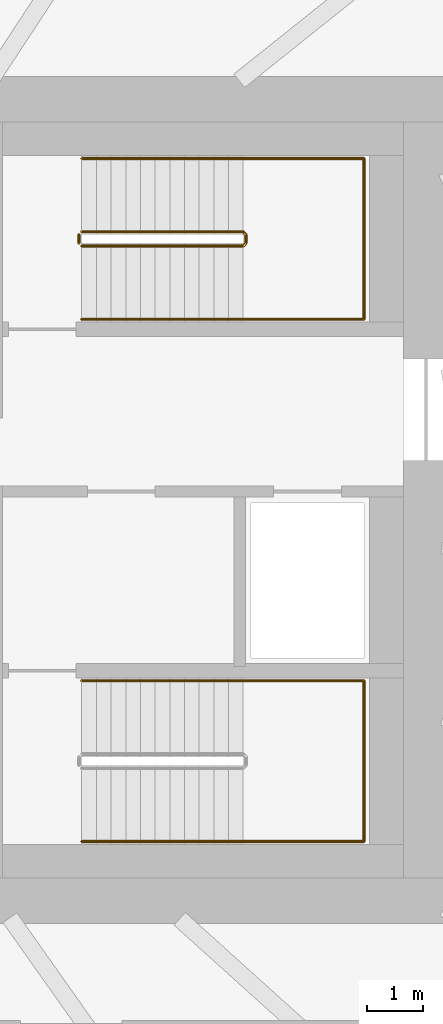
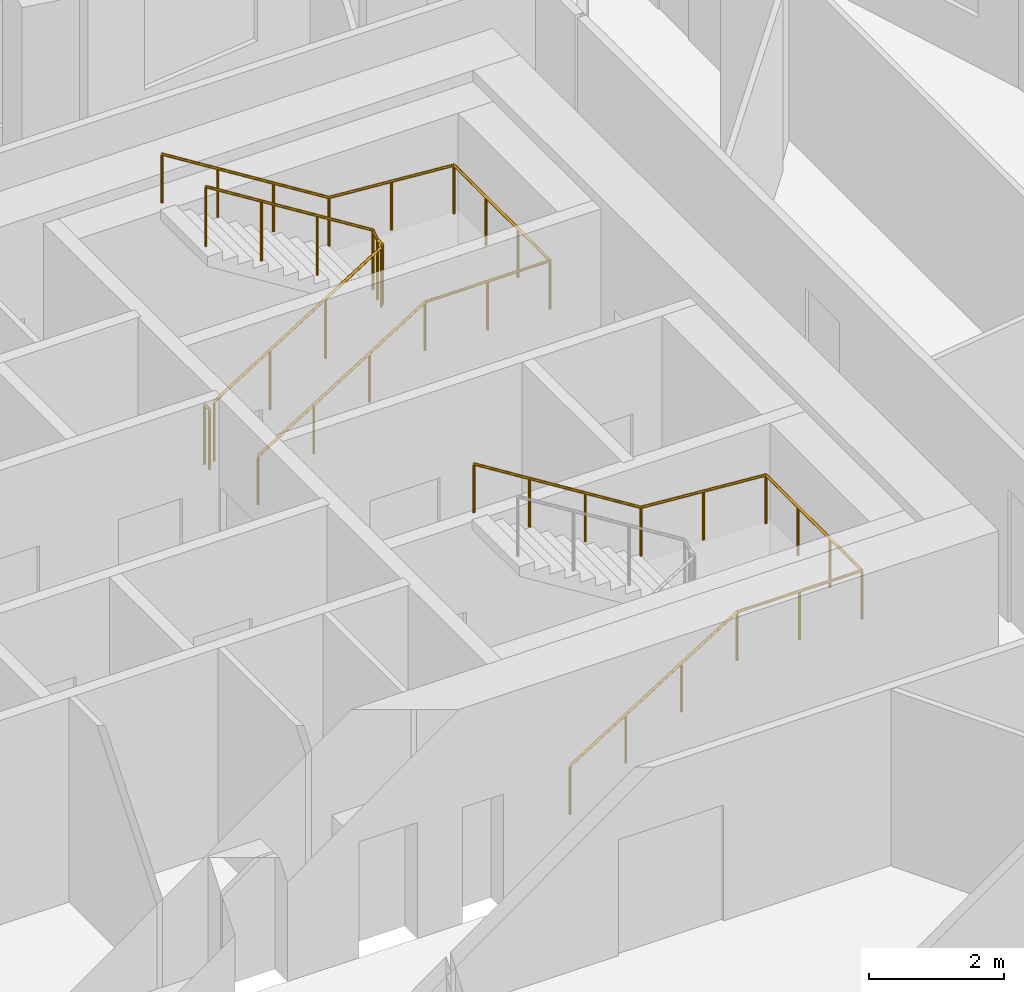
# One storey, part 12 of 12: 4 railings.
"""IFC4 building model written with IfcOpenShell, lengths in metres."""

from ifc_helpers import new_model, si_unit, direction, frame, origin, origin_2d, place, context, subcontext, project, spatial, circle, extrude, material, type_object, element, save


model = new_model("IFC4")

# Units and contexts
model_context = context("Model", 3, precision=1e-05, world=origin(), true_north=direction((0.0, 1.0)))
body_context = subcontext(model_context, "Body", "Model", "MODEL_VIEW")
ifc_project = project(units=[si_unit("LENGTHUNIT", "METRE"), si_unit("AREAUNIT", "SQUARE_METRE"), si_unit("VOLUMEUNIT", "CUBIC_METRE"), si_unit("PLANEANGLEUNIT", "RADIAN"), si_unit("MASSUNIT", "GRAM", prefix="KILO")], contexts=[model_context])

# Site, building, storey
site_placement = place(None, origin())
site = spatial("IfcSite", under=ifc_project, at=site_placement, CompositionType="ELEMENT")
building_placement = place(site_placement, origin())
building = spatial("IfcBuilding", under=site, at=building_placement, Name="Rubra Terraces Tower", CompositionType="ELEMENT")
storey_placement = place(building_placement, frame((0.0, 0.0, 276.60009765625)))
storey = spatial("IfcBuildingStorey", under=building, at=storey_placement, Name="L68", CompositionType="ELEMENT", Elevation=276.60009765625)

# Railings
ifc_material = material(Name="Stainless steel", Category="steel")
railing_type_1 = type_object("IfcRailingType", Name="Core stair guard 1100", PredefinedType="GUARDRAIL", material=ifc_material)
railing_1_placement = place(storey_placement, frame((6.5, 9.0, 0.162353515625)))
element("IfcRailing", 1, at=railing_1_placement, inside=storey, type_object=railing_type_1, Name="L68 stair S3 guard 1", PredefinedType="GUARDRAIL", context=body_context, shape_type="SweptSolid", body=[
    extrude(circle(Radius=0.02392578125, at=origin_2d()), frame((0.0, 0.0, 1.076171875), z_axis=(0.847994237388, 0.0, 0.530005446535), x_axis=(0.0, 1.0, 0.0)), (0.0, 0.0, 1.0), 3.372802734375),
    extrude(circle(Radius=0.02392578125, at=origin_2d()), frame((2.860107421875, 0.0, 2.86376953125), z_axis=(0.705375805398, 0.708833529934, 0.0), x_axis=(-0.708833529934, 0.705375805398, 0.0)), (0.0, 0.0, 1.0), 0.070556640625),
    extrude(circle(Radius=0.02392578125, at=origin_2d()), frame((2.909912109375, 0.050048828125, 2.86376953125), z_axis=(0.0, 1.0, 0.0), x_axis=(-1.0, 0.0, 0.0)), (0.0, 0.0, 1.0), 0.14990234375),
    extrude(circle(Radius=0.02392578125, at=origin_2d()), frame((2.909912109375, 0.199951171875, 2.86376953125), z_axis=(-0.281314826061, 0.282693820306, 0.917031173188), x_axis=(-0.708833529934, -0.705375805398, 0.0)), (0.0, 0.0, 1.0), 0.177001953125),
    extrude(circle(Radius=0.02392578125, at=origin_2d()), frame((2.860107421875, 0.25, 3.02587890625), z_axis=(-0.847994237388, 0.0, 0.530005446535), x_axis=(0.0, -1.0, 0.0)), (0.0, 0.0, 1.0), 3.372802734375),
    extrude(circle(Radius=0.02099609375, at=origin_2d()), origin(), (0.0, 0.0, 1.0), 1.052001953125),
    extrude(circle(Radius=0.02099609375, at=origin_2d()), frame((0.953369140625, 0.0, 0.595947265625)), (0.0, 0.0, 1.0), 1.052001953125),
    extrude(circle(Radius=0.02099609375, at=origin_2d()), frame((1.90673828125, 0.0, 1.191650390625)), (0.0, 0.0, 1.0), 1.052001953125),
    extrude(circle(Radius=0.02099609375, at=origin_2d()), frame((2.860107421875, 0.0, 1.78759765625)), (0.0, 0.0, 1.0), 1.052001953125),
    extrude(circle(Radius=0.02099609375, at=origin_2d()), frame((2.909912109375, 0.050048828125, 1.78759765625)), (0.0, 0.0, 1.0), 1.052001953125),
    extrude(circle(Radius=0.02099609375, at=origin_2d()), frame((2.909912109375, 0.199951171875, 1.78759765625)), (0.0, 0.0, 1.0), 1.052001953125),
    extrude(circle(Radius=0.02099609375, at=origin_2d()), frame((2.860107421875, 0.25, 1.949951171875)), (0.0, 0.0, 1.0), 1.052001953125),
    extrude(circle(Radius=0.02099609375, at=origin_2d()), frame((1.90673828125, 0.25, 2.5458984375)), (0.0, 0.0, 1.0), 1.052001953125),
    extrude(circle(Radius=0.02099609375, at=origin_2d()), frame((0.953369140625, 0.25, 3.1416015625)), (0.0, 0.0, 1.0), 1.052001953125),
    extrude(circle(Radius=0.02099609375, at=origin_2d()), frame((0.0, 0.25, 3.737548828125)), (0.0, 0.0, 1.0), 1.052001953125),
])
railing_2_placement = place(storey_placement, frame((6.449951171875, 9.050048828125, 0.0)))
element("IfcRailing", 2, at=railing_2_placement, inside=storey, type_object=railing_type_1, Name="L68 stair S3 guard 2", PredefinedType="GUARDRAIL", context=body_context, shape_type="SweptSolid", body=[
    extrude(circle(Radius=0.02392578125, at=origin_2d()), frame((0.0, 0.0, 1.076171875), z_axis=(0.0, 1.0, 0.0), x_axis=(-1.0, 0.0, 0.0)), (0.0, 0.0, 1.0), 0.14990234375),
    extrude(circle(Radius=0.02099609375, at=origin_2d()), origin(), (0.0, 0.0, 1.0), 1.052001953125),
    extrude(circle(Radius=0.02099609375, at=origin_2d()), frame((0.0, 0.14990234375, 0.0)), (0.0, 0.0, 1.0), 1.052001953125),
])
railing_type_2 = type_object("IfcRailingType", Name="Core stair handrail 900", PredefinedType="HANDRAIL", material=ifc_material)
railing_3_placement = place(storey_placement, frame((6.5, 7.699951171875, 0.162353515625)))
element("IfcRailing", 3, at=railing_3_placement, inside=storey, type_object=railing_type_2, Name="L68 stair S3 handrail 1", PredefinedType="HANDRAIL", context=body_context, shape_type="SweptSolid", body=[
    extrude(circle(Radius=0.02392578125, at=origin_2d()), frame((0.0, 0.0, 0.8759765625), z_axis=(0.847994237388, 0.0, 0.530005446535), x_axis=(0.0, 1.0, 0.0)), (0.0, 0.0, 1.0), 3.372802734375),
    extrude(circle(Radius=0.02392578125, at=origin_2d()), frame((2.860107421875, 0.0, 2.66357421875), z_axis=(1.0, 0.0, 0.0), x_axis=(0.0, 1.0, 0.0)), (0.0, 0.0, 1.0), 2.139892578125),
    extrude(circle(Radius=0.02392578125, at=origin_2d()), frame((5.0, 0.0, 2.66357421875), z_axis=(0.0, 1.0, 0.0), x_axis=(-1.0, 0.0, 0.0)), (0.0, 0.0, 1.0), 2.85009765625),
    extrude(circle(Radius=0.02392578125, at=origin_2d()), frame((5.0, 2.85009765625, 2.66357421875), z_axis=(-0.9971342424, 0.0, 0.075652512401), x_axis=(0.0, -1.0, 0.0)), (0.0, 0.0, 1.0), 2.14599609375),
    extrude(circle(Radius=0.02392578125, at=origin_2d()), frame((2.860107421875, 2.85009765625, 2.82568359375), z_axis=(-0.847994237388, 0.0, 0.530005446535), x_axis=(0.0, -1.0, 0.0)), (0.0, 0.0, 1.0), 3.372802734375),
    extrude(circle(Radius=0.02099609375, at=origin_2d()), origin(), (0.0, 0.0, 1.0), 0.851806640625),
    extrude(circle(Radius=0.02099609375, at=origin_2d()), frame((0.953369140625, 0.0, 0.595947265625)), (0.0, 0.0, 1.0), 0.851806640625),
    extrude(circle(Radius=0.02099609375, at=origin_2d()), frame((1.90673828125, 0.0, 1.191650390625)), (0.0, 0.0, 1.0), 0.851806640625),
    extrude(circle(Radius=0.02099609375, at=origin_2d()), frame((2.860107421875, 0.0, 1.78759765625)), (0.0, 0.0, 1.0), 0.851806640625),
    extrude(circle(Radius=0.02099609375, at=origin_2d()), frame((3.93017578125, 0.0, 1.78759765625)), (0.0, 0.0, 1.0), 0.851806640625),
    extrude(circle(Radius=0.02099609375, at=origin_2d()), frame((5.0, 0.0, 1.78759765625)), (0.0, 0.0, 1.0), 0.851806640625),
    extrude(circle(Radius=0.02099609375, at=origin_2d()), frame((5.0, 0.949951171875, 1.78759765625)), (0.0, 0.0, 1.0), 0.851806640625),
    extrude(circle(Radius=0.02099609375, at=origin_2d()), frame((5.0, 1.900146484375, 1.78759765625)), (0.0, 0.0, 1.0), 0.851806640625),
    extrude(circle(Radius=0.02099609375, at=origin_2d()), frame((5.0, 2.85009765625, 1.78759765625)), (0.0, 0.0, 1.0), 0.851806640625),
    extrude(circle(Radius=0.02099609375, at=origin_2d()), frame((3.93017578125, 2.85009765625, 1.86865234375)), (0.0, 0.0, 1.0), 0.851806640625),
    extrude(circle(Radius=0.02099609375, at=origin_2d()), frame((2.860107421875, 2.85009765625, 1.949951171875)), (0.0, 0.0, 1.0), 0.851806640625),
    extrude(circle(Radius=0.02099609375, at=origin_2d()), frame((1.90673828125, 2.85009765625, 2.5458984375)), (0.0, 0.0, 1.0), 0.851806640625),
    extrude(circle(Radius=0.02099609375, at=origin_2d()), frame((0.953369140625, 2.85009765625, 3.1416015625)), (0.0, 0.0, 1.0), 0.851806640625),
    extrude(circle(Radius=0.02099609375, at=origin_2d()), frame((0.0, 2.85009765625, 3.737548828125)), (0.0, 0.0, 1.0), 0.851806640625),
])
railing_4_placement = place(storey_placement, frame((6.5, -1.550048828125, 0.162353515625)))
element("IfcRailing", 4, at=railing_4_placement, inside=storey, type_object=railing_type_2, Name="L68 stair S4 handrail 1", PredefinedType="HANDRAIL", context=body_context, shape_type="SweptSolid", body=[
    extrude(circle(Radius=0.02392578125, at=origin_2d()), frame((0.0, 0.0, 0.8759765625), z_axis=(0.847994237388, 0.0, 0.530005446535), x_axis=(0.0, 1.0, 0.0)), (0.0, 0.0, 1.0), 3.372802734375),
    extrude(circle(Radius=0.02392578125, at=origin_2d()), frame((2.860107421875, 0.0, 2.66357421875), z_axis=(1.0, 0.0, 0.0), x_axis=(0.0, 1.0, 0.0)), (0.0, 0.0, 1.0), 2.139892578125),
    extrude(circle(Radius=0.02392578125, at=origin_2d()), frame((5.0, 0.0, 2.66357421875), z_axis=(0.0, 1.0, 0.0), x_axis=(-1.0, 0.0, 0.0)), (0.0, 0.0, 1.0), 2.85009765625),
    extrude(circle(Radius=0.02392578125, at=origin_2d()), frame((5.0, 2.85009765625, 2.66357421875), z_axis=(-0.9971342424, 0.0, 0.075652512401), x_axis=(0.0, -1.0, 0.0)), (0.0, 0.0, 1.0), 2.14599609375),
    extrude(circle(Radius=0.02392578125, at=origin_2d()), frame((2.860107421875, 2.85009765625, 2.82568359375), z_axis=(-0.847994237388, 0.0, 0.530005446535), x_axis=(0.0, -1.0, 0.0)), (0.0, 0.0, 1.0), 3.372802734375),
    extrude(circle(Radius=0.02099609375, at=origin_2d()), origin(), (0.0, 0.0, 1.0), 0.851806640625),
    extrude(circle(Radius=0.02099609375, at=origin_2d()), frame((0.953369140625, 0.0, 0.595947265625)), (0.0, 0.0, 1.0), 0.851806640625),
    extrude(circle(Radius=0.02099609375, at=origin_2d()), frame((1.90673828125, 0.0, 1.191650390625)), (0.0, 0.0, 1.0), 0.851806640625),
    extrude(circle(Radius=0.02099609375, at=origin_2d()), frame((2.860107421875, 0.0, 1.78759765625)), (0.0, 0.0, 1.0), 0.851806640625),
    extrude(circle(Radius=0.02099609375, at=origin_2d()), frame((3.93017578125, 0.0, 1.78759765625)), (0.0, 0.0, 1.0), 0.851806640625),
    extrude(circle(Radius=0.02099609375, at=origin_2d()), frame((5.0, 0.0, 1.78759765625)), (0.0, 0.0, 1.0), 0.851806640625),
    extrude(circle(Radius=0.02099609375, at=origin_2d()), frame((5.0, 0.949951171875, 1.78759765625)), (0.0, 0.0, 1.0), 0.851806640625),
    extrude(circle(Radius=0.02099609375, at=origin_2d()), frame((5.0, 1.900146484375, 1.78759765625)), (0.0, 0.0, 1.0), 0.851806640625),
    extrude(circle(Radius=0.02099609375, at=origin_2d()), frame((5.0, 2.85009765625, 1.78759765625)), (0.0, 0.0, 1.0), 0.851806640625),
    extrude(circle(Radius=0.02099609375, at=origin_2d()), frame((3.93017578125, 2.85009765625, 1.86865234375)), (0.0, 0.0, 1.0), 0.851806640625),
    extrude(circle(Radius=0.02099609375, at=origin_2d()), frame((2.860107421875, 2.85009765625, 1.949951171875)), (0.0, 0.0, 1.0), 0.851806640625),
    extrude(circle(Radius=0.02099609375, at=origin_2d()), frame((1.90673828125, 2.85009765625, 2.5458984375)), (0.0, 0.0, 1.0), 0.851806640625),
    extrude(circle(Radius=0.02099609375, at=origin_2d()), frame((0.953369140625, 2.85009765625, 3.1416015625)), (0.0, 0.0, 1.0), 0.851806640625),
    extrude(circle(Radius=0.02099609375, at=origin_2d()), frame((0.0, 2.85009765625, 3.737548828125)), (0.0, 0.0, 1.0), 0.851806640625),
])

save(model, "model.ifc")
